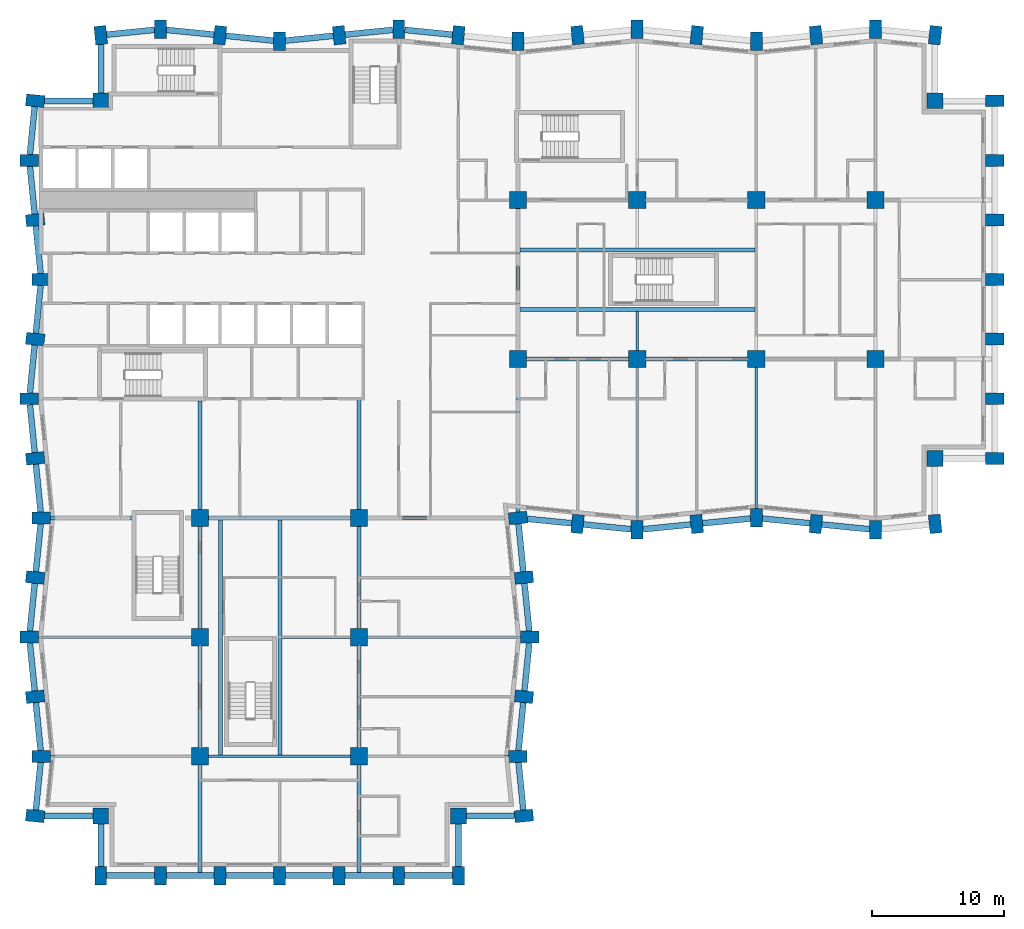
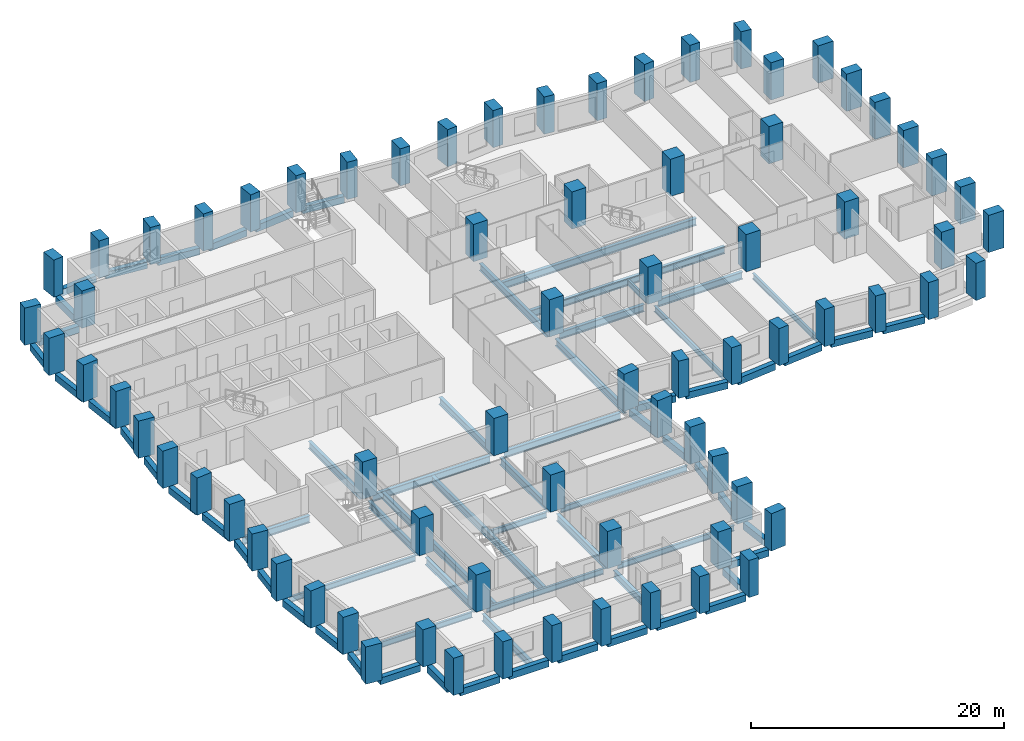
# One storey, part 1 of 12: 74 columns, 69 beams.
"""IFC4 building model written with IfcOpenShell, lengths in metres."""

from ifc_helpers import new_model, si_unit, direction, frame, origin, origin_2d, place, context, subcontext, project, spatial, rectangle, i_section, extrude, material, material_profile, profile_set, type_object, element, save


model = new_model("IFC4")

# Units and contexts
model_context = context("Model", 3, precision=1e-05, world=origin(), true_north=direction((0.0, 1.0)))
body_context = subcontext(model_context, "Body", "Model", "MODEL_VIEW")
ifc_project = project(units=[si_unit("LENGTHUNIT", "METRE"), si_unit("AREAUNIT", "SQUARE_METRE"), si_unit("VOLUMEUNIT", "CUBIC_METRE"), si_unit("PLANEANGLEUNIT", "RADIAN"), si_unit("MASSUNIT", "GRAM", prefix="KILO")], contexts=[model_context])

# Site, building, storey
site_placement = place(None, origin())
site = spatial("IfcSite", under=ifc_project, at=site_placement, CompositionType="ELEMENT")
building_placement = place(site_placement, origin())
building = spatial("IfcBuilding", under=site, at=building_placement, Name="Brondeck Convention Tower", CompositionType="ELEMENT")
storey_placement = place(building_placement, frame((0.0, 0.0, 80.699951171875)))
storey = spatial("IfcBuildingStorey", under=building, at=storey_placement, Name="L18", CompositionType="ELEMENT", Elevation=80.699951171875)

# Columns
ifc_material_1 = material(Name="Concrete C80/95", Category="concrete")
ifc_material_profile_1 = material_profile(ifc_material_1, rectangle(XDim=1.199951171875, YDim=1.199951171875, at=origin_2d()), Name="Corner column 1200x1200 Concrete C80/95")
ifc_profile_set_1 = profile_set([ifc_material_profile_1], Name="Concrete C80/95")
column_type_1 = type_object("IfcColumnType", Name="Corner column 1200x1200 Concrete C80/95", PredefinedType="COLUMN", material=ifc_profile_set_1)
for number, where, z_axis, x_axis, name in (
    (1, (4.5, 4.5, 0.0), (0.0, 0.0, 1.0), (1.0, 0.0, 0.0), "STR-COL-L18-NC-SWB0"),
    (2, (31.5, 4.5, 0.0), (0.0, 0.0, 1.0), (1.0, 0.0, 0.0), "STR-COL-L18-NC-SEB0"),
    (3, (67.5, 31.5, 0.0), (0.0, 0.0, 1.0), (1.0, 0.0, 0.0), "STR-COL-L18-NC-SEA72"),
    (4, (67.5, 58.5, 0.0), (0.0, 0.0, 1.0), (1.0, 0.0, 0.0), "STR-COL-L18-NC-NEA72"),
    (5, (4.5, 58.5, 0.0), (0.0, 0.0, 1.0), (1.0, 0.0, 0.0), "STR-COL-L18-NC-NW"),
):
    element("IfcColumn", number, at=place(storey_placement, frame(where, z_axis=z_axis, x_axis=x_axis)), inside=storey, type_object=column_type_1, Name=name, PredefinedType="COLUMN", context=body_context, shape_type="SweptSolid", body=[
        extrude(rectangle(XDim=1.199951171875, YDim=1.199951171875, at=origin_2d()), origin(), (0.0, 0.0, 1.0), 3.60009765625),
    ])
ifc_material_profile_2 = material_profile(ifc_material_1, rectangle(XDim=1.300048828125, YDim=1.300048828125, at=origin_2d()), Name="Interior column 1300x1300 Concrete C80/95")
ifc_profile_set_2 = profile_set([ifc_material_profile_2], Name="Concrete C80/95")
column_type_2 = type_object("IfcColumnType", Name="Interior column 1300x1300 Concrete C80/95", PredefinedType="COLUMN", material=ifc_profile_set_2)
for number, where, z_axis, x_axis, name in (
    (6, (12.0, 9.0, 0.0), (0.0, 0.0, 1.0), (1.0, 0.0, 0.0), "STR-COL-L18-IC-01"),
    (7, (12.0, 18.0, 0.0), (0.0, 0.0, 1.0), (1.0, 0.0, 0.0), "STR-COL-L18-IC-02"),
    (8, (12.0, 27.0, 0.0), (0.0, 0.0, 1.0), (1.0, 0.0, 0.0), "STR-COL-L18-IC-03"),
    (9, (24.0, 9.0, 0.0), (0.0, 0.0, 1.0), (1.0, 0.0, 0.0), "STR-COL-L18-IC-04"),
    (10, (24.0, 18.0, 0.0), (0.0, 0.0, 1.0), (1.0, 0.0, 0.0), "STR-COL-L18-IC-05"),
    (11, (24.0, 27.0, 0.0), (0.0, 0.0, 1.0), (1.0, 0.0, 0.0), "STR-COL-L18-IC-06"),
    (12, (36.0, 39.0, 0.0), (0.0, 0.0, 1.0), (1.0, 0.0, 0.0), "STR-COL-L18-IC-07"),
    (13, (36.0, 51.0, 0.0), (0.0, 0.0, 1.0), (1.0, 0.0, 0.0), "STR-COL-L18-IC-08"),
    (14, (45.0, 39.0, 0.0), (0.0, 0.0, 1.0), (1.0, 0.0, 0.0), "STR-COL-L18-IC-09"),
    (15, (45.0, 51.0, 0.0), (0.0, 0.0, 1.0), (1.0, 0.0, 0.0), "STR-COL-L18-IC-10"),
    (16, (54.0, 39.0, 0.0), (0.0, 0.0, 1.0), (1.0, 0.0, 0.0), "STR-COL-L18-IC-11"),
    (17, (54.0, 51.0, 0.0), (0.0, 0.0, 1.0), (1.0, 0.0, 0.0), "STR-COL-L18-IC-12"),
    (18, (63.0, 39.0, 0.0), (0.0, 0.0, 1.0), (1.0, 0.0, 0.0), "STR-COL-L18-IC-13"),
    (19, (63.0, 51.0, 0.0), (0.0, 0.0, 1.0), (1.0, 0.0, 0.0), "STR-COL-L18-IC-14"),
):
    element("IfcColumn", number, at=place(storey_placement, frame(where, z_axis=z_axis, x_axis=x_axis)), inside=storey, type_object=column_type_2, Name=name, PredefinedType="COLUMN", context=body_context, shape_type="SweptSolid", body=[
        extrude(rectangle(XDim=1.300048828125, YDim=1.300048828125, at=origin_2d()), origin(), (0.0, 0.0, 1.0), 3.60009765625),
    ])
ifc_material_profile_3 = material_profile(ifc_material_1, rectangle(XDim=0.89990234375, YDim=1.39990234375, at=origin_2d()), Name="Perimeter pier 900x1400 Concrete C80/95")
ifc_profile_set_3 = profile_set([ifc_material_profile_3], Name="Concrete C80/95")
column_type_3 = type_object("IfcColumnType", Name="Perimeter pier 900x1400 Concrete C80/95", PredefinedType="COLUMN", material=ifc_profile_set_3)
for number, where, z_axis, x_axis, name in (
    (20, (4.5, 0.0, 0.0), (0.0, 0.0, 1.0), (1.0, 0.0, 0.0), "STR-COL-L18-PC-B-S0-01"),
    (21, (9.0, 0.0, 0.0), (0.0, 0.0, 1.0), (1.0, 0.0, 0.0), "STR-COL-L18-PC-B-S0-02"),
    (22, (13.5, 0.0, 0.0), (0.0, 0.0, 1.0), (1.0, 0.0, 0.0), "STR-COL-L18-PC-B-S0-03"),
    (23, (18.0, 0.0, 0.0), (0.0, 0.0, 1.0), (1.0, 0.0, 0.0), "STR-COL-L18-PC-B-S0-04"),
    (24, (22.5, 0.0, 0.0), (0.0, 0.0, 1.0), (1.0, 0.0, 0.0), "STR-COL-L18-PC-B-S0-05"),
    (25, (27.0, 0.0, 0.0), (0.0, 0.0, 1.0), (1.0, 0.0, 0.0), "STR-COL-L18-PC-B-S0-06"),
    (26, (31.5, 0.0, 0.0), (0.0, 0.0, 1.0), (1.0, 0.0, 0.0), "STR-COL-L18-PC-B-S0-07"),
    (27, (36.449951171875, 4.5, 0.0), (0.0, 0.0, 1.0), (-0.0995038382, 0.995037178292, 0.0), "STR-COL-L18-PC-B-E-05"),
    (28, (36.0, 9.0, 0.0), (0.0, 0.0, 1.0), (0.0, 1.0, 0.0), "STR-COL-L18-PC-B-E-04"),
    (29, (36.449951171875, 13.5, 0.0), (0.0, 0.0, 1.0), (0.0995038382, 0.995037178292, 0.0), "STR-COL-L18-PC-B-E-03"),
    (30, (36.89990234375, 18.0, 0.0), (0.0, 0.0, 1.0), (0.0, 1.0, 0.0), "STR-COL-L18-PC-B-E-02"),
    (31, (36.449951171875, 22.5, 0.0), (0.0, 0.0, 1.0), (-0.0995038382, 0.995037178292, 0.0), "STR-COL-L18-PC-B-E-01"),
    (32, (36.0, 27.0, 0.0), (0.0, 0.0, 1.0), (-0.0995038382, 0.995037178292, 0.0), "STR-COL-L18-PC-B-E-00"),
    (33, (40.5, 26.550048828125, 0.0), (0.0, 0.0, 1.0), (0.995037178292, -0.0995038382, 0.0), "STR-COL-L18-PC-A-S-01"),
    (34, (45.0, 26.10009765625, 0.0), (0.0, 0.0, 1.0), (1.0, 0.0, 0.0), "STR-COL-L18-PC-A-S-02"),
    (35, (49.5, 26.550048828125, 0.0), (0.0, 0.0, 1.0), (0.995037178292, 0.0995038382, 0.0), "STR-COL-L18-PC-A-S-03"),
    (36, (54.0, 27.0, 0.0), (0.0, 0.0, 1.0), (1.0, 0.0, 0.0), "STR-COL-L18-PC-A-S-04"),
    (37, (58.5, 26.550048828125, 0.0), (0.0, 0.0, 1.0), (0.995037178292, -0.0995038382, 0.0), "STR-COL-L18-PC-A-S-05"),
    (38, (63.0, 26.10009765625, 0.0), (0.0, 0.0, 1.0), (1.0, 0.0, 0.0), "STR-COL-L18-PC-A-S-06"),
    (39, (67.5, 26.550048828125, 0.0), (0.0, 0.0, 1.0), (0.995037178292, 0.0995038382, 0.0), "STR-COL-L18-PC-A-S-07"),
    (40, (72.0, 31.5, 0.0), (0.0, 0.0, 1.0), (0.0, 1.0, 0.0), "STR-COL-L18-PC-A-E72-01"),
    (41, (72.0, 36.0, 0.0), (0.0, 0.0, 1.0), (0.0, 1.0, 0.0), "STR-COL-L18-PC-A-E72-02"),
    (42, (72.0, 40.5, 0.0), (0.0, 0.0, 1.0), (0.0, 1.0, 0.0), "STR-COL-L18-PC-A-E72-03"),
    (43, (72.0, 45.0, 0.0), (0.0, 0.0, 1.0), (0.0, 1.0, 0.0), "STR-COL-L18-PC-A-E72-04"),
    (44, (72.0, 49.5, 0.0), (0.0, 0.0, 1.0), (0.0, 1.0, 0.0), "STR-COL-L18-PC-A-E72-05"),
    (45, (72.0, 54.0, 0.0), (0.0, 0.0, 1.0), (0.0, 1.0, 0.0), "STR-COL-L18-PC-A-E72-06"),
    (46, (72.0, 58.5, 0.0), (0.0, 0.0, 1.0), (0.0, 1.0, 0.0), "STR-COL-L18-PC-A-E72-07"),
    (47, (67.5, 63.449951171875, 0.0), (0.0, 0.0, 1.0), (-0.995037178292, 0.0995038382, 0.0), "STR-COL-L18-PC-A-N-15"),
    (48, (63.0, 63.89990234375, 0.0), (0.0, 0.0, 1.0), (-1.0, 0.0, 0.0), "STR-COL-L18-PC-A-N-14"),
    (49, (58.5, 63.449951171875, 0.0), (0.0, 0.0, 1.0), (-0.995037178292, -0.0995038382, 0.0), "STR-COL-L18-PC-A-N-13"),
    (50, (54.0, 63.0, 0.0), (0.0, 0.0, 1.0), (-1.0, 0.0, 0.0), "STR-COL-L18-PC-A-N-12"),
    (51, (49.5, 63.449951171875, 0.0), (0.0, 0.0, 1.0), (-0.995037178292, 0.0995038382, 0.0), "STR-COL-L18-PC-A-N-11"),
    (52, (45.0, 63.89990234375, 0.0), (0.0, 0.0, 1.0), (-1.0, 0.0, 0.0), "STR-COL-L18-PC-A-N-10"),
    (53, (40.5, 63.449951171875, 0.0), (0.0, 0.0, 1.0), (-0.995037178292, -0.0995038382, 0.0), "STR-COL-L18-PC-A-N-09"),
    (54, (36.0, 63.0, 0.0), (0.0, 0.0, 1.0), (-1.0, 0.0, 0.0), "STR-COL-L18-PC-A-N-08"),
    (55, (31.5, 63.449951171875, 0.0), (0.0, 0.0, 1.0), (-0.995037178292, 0.0995038382, 0.0), "STR-COL-L18-PC-A-N-07"),
    (56, (27.0, 63.89990234375, 0.0), (0.0, 0.0, 1.0), (-1.0, 0.0, 0.0), "STR-COL-L18-PC-A-N-06"),
    (57, (22.5, 63.449951171875, 0.0), (0.0, 0.0, 1.0), (-0.995037178292, -0.0995038382, 0.0), "STR-COL-L18-PC-A-N-05"),
    (58, (18.0, 63.0, 0.0), (0.0, 0.0, 1.0), (-1.0, 0.0, 0.0), "STR-COL-L18-PC-A-N-04"),
    (59, (13.5, 63.449951171875, 0.0), (0.0, 0.0, 1.0), (-0.995037178292, 0.0995038382, 0.0), "STR-COL-L18-PC-A-N-03"),
    (60, (9.0, 63.89990234375, 0.0), (0.0, 0.0, 1.0), (-1.0, 0.0, 0.0), "STR-COL-L18-PC-A-N-02"),
    (61, (4.5, 63.449951171875, 0.0), (0.0, 0.0, 1.0), (-0.995037178292, -0.0995038382, 0.0), "STR-COL-L18-PC-A-N-01"),
    (62, (-0.449951171875, 58.5, 0.0), (0.0, 0.0, 1.0), (-0.0995038382, -0.995037178292, 0.0), "STR-COL-L18-PC-B-W-01"),
    (63, (-0.89990234375, 54.0, 0.0), (0.0, 0.0, 1.0), (0.0, -1.0, 0.0), "STR-COL-L18-PC-B-W-02"),
    (64, (-0.449951171875, 49.5, 0.0), (0.0, 0.0, 1.0), (0.0995038382, -0.995037178292, 0.0), "STR-COL-L18-PC-B-W-03"),
    (65, (0.0, 45.0, 0.0), (0.0, 0.0, 1.0), (0.0, -1.0, 0.0), "STR-COL-L18-PC-B-W-04"),
    (66, (-0.449951171875, 40.5, 0.0), (0.0, 0.0, 1.0), (-0.0995038382, -0.995037178292, 0.0), "STR-COL-L18-PC-B-W-05"),
    (67, (-0.89990234375, 36.0, 0.0), (0.0, 0.0, 1.0), (0.0, -1.0, 0.0), "STR-COL-L18-PC-B-W-06"),
    (68, (-0.449951171875, 31.5, 0.0), (0.0, 0.0, 1.0), (0.0995038382, -0.995037178292, 0.0), "STR-COL-L18-PC-B-W-07"),
    (69, (0.0, 27.0, 0.0), (0.0, 0.0, 1.0), (0.0, -1.0, 0.0), "STR-COL-L18-PC-B-W-08"),
    (70, (-0.449951171875, 22.5, 0.0), (0.0, 0.0, 1.0), (-0.0995038382, -0.995037178292, 0.0), "STR-COL-L18-PC-B-W-09"),
    (71, (-0.89990234375, 18.0, 0.0), (0.0, 0.0, 1.0), (0.0, -1.0, 0.0), "STR-COL-L18-PC-B-W-10"),
    (72, (-0.449951171875, 13.5, 0.0), (0.0, 0.0, 1.0), (0.0995038382, -0.995037178292, 0.0), "STR-COL-L18-PC-B-W-11"),
    (73, (0.0, 9.0, 0.0), (0.0, 0.0, 1.0), (0.0, -1.0, 0.0), "STR-COL-L18-PC-B-W-12"),
    (74, (-0.449951171875, 4.5, 0.0), (0.0, 0.0, 1.0), (-0.0995038382, -0.995037178292, 0.0), "STR-COL-L18-PC-B-W-13"),
):
    element("IfcColumn", number, at=place(storey_placement, frame(where, z_axis=z_axis, x_axis=x_axis)), inside=storey, type_object=column_type_3, Name=name, PredefinedType="COLUMN", context=body_context, shape_type="SweptSolid", body=[
        extrude(rectangle(XDim=0.89990234375, YDim=1.39990234375, at=origin_2d()), origin(), (0.0, 0.0, 1.0), 3.60009765625),
    ])

# Beams
ifc_material_2 = material(Name="Steel S355", Category="steel")
ifc_material_profile_4 = material_profile(ifc_material_2, i_section(OverallWidth=0.2099609375, OverallDepth=0.550048828125, WebThickness=0.010986328125, FlangeThickness=0.01708984375, FilletRadius=0.02392578125, at=origin_2d()), Name="IPE 550")
ifc_profile_set_4 = profile_set([ifc_material_profile_4], Name="Steel S355")
beam_type_1 = type_object("IfcBeamType", Name="Floor beam IPE 550", PredefinedType="BEAM", material=ifc_profile_set_4)
beam_1_placement = place(storey_placement, frame((45.0, 26.800048828125, -0.574951171875), z_axis=(0.0, 1.0, 0.0), x_axis=(-1.0, 0.0, 0.0)))
element("IfcBeam", 75, at=beam_1_placement, inside=storey, type_object=beam_type_1, Name="STR-FB-L18-001", PredefinedType="BEAM", context=body_context, shape_type="SweptSolid", body=[
    extrude(i_section(OverallWidth=0.2099609375, OverallDepth=0.550048828125, WebThickness=0.010986328125, FlangeThickness=0.01708984375, FilletRadius=0.02392578125, at=origin_2d()), origin(), (0.0, 0.0, 1.0), 11.550048828125),
])
for number, where, z_axis, x_axis, name in (
    (76, (54.0, 27.699951171875, -0.574951171875), (0.0, 1.0, 0.0), (-1.0, 0.0, 0.0), "STR-FB-L18-003"),
    (77, (0.699951171875, 9.0, -0.574951171875), (1.0, 0.0, 0.0), (0.0, 1.0, 0.0), "STR-FB-L18-009"),
):
    element("IfcBeam", number, at=place(storey_placement, frame(where, z_axis=z_axis, x_axis=x_axis)), inside=storey, type_object=beam_type_1, Name=name, PredefinedType="BEAM", context=body_context, shape_type="SweptSolid", body=[
        extrude(i_section(OverallWidth=0.2099609375, OverallDepth=0.550048828125, WebThickness=0.010986328125, FlangeThickness=0.01708984375, FilletRadius=0.02392578125, at=origin_2d()), origin(), (0.0, 0.0, 1.0), 10.650146484375),
    ])
beam_2_placement = place(storey_placement, frame((12.64990234375, 9.0, -0.574951171875), z_axis=(1.0, 0.0, 0.0), x_axis=(0.0, 1.0, 0.0)))
element("IfcBeam", 78, at=beam_2_placement, inside=storey, type_object=beam_type_1, Name="STR-FB-L18-010", PredefinedType="BEAM", context=body_context, shape_type="SweptSolid", body=[
    extrude(i_section(OverallWidth=0.2099609375, OverallDepth=0.550048828125, WebThickness=0.010986328125, FlangeThickness=0.01708984375, FilletRadius=0.02392578125, at=origin_2d()), origin(), (0.0, 0.0, 1.0), 10.7001953125),
])
beam_3_placement = place(storey_placement, frame((24.64990234375, 9.0, -0.574951171875), z_axis=(1.0, 0.0, 0.0), x_axis=(0.0, 1.0, 0.0)))
element("IfcBeam", 79, at=beam_3_placement, inside=storey, type_object=beam_type_1, Name="STR-FB-L18-011", PredefinedType="BEAM", context=body_context, shape_type="SweptSolid", body=[
    extrude(i_section(OverallWidth=0.2099609375, OverallDepth=0.550048828125, WebThickness=0.010986328125, FlangeThickness=0.01708984375, FilletRadius=0.02392578125, at=origin_2d()), origin(), (0.0, 0.0, 1.0), 10.650146484375),
])
for number, where, z_axis, x_axis, name in (
    (80, (-0.199951171875, 18.0, -0.574951171875), (1.0, 0.0, 0.0), (0.0, 1.0, 0.0), "STR-FB-L18-012"),
    (81, (24.64990234375, 18.0, -0.574951171875), (1.0, 0.0, 0.0), (0.0, 1.0, 0.0), "STR-FB-L18-013"),
):
    element("IfcBeam", number, at=place(storey_placement, frame(where, z_axis=z_axis, x_axis=x_axis)), inside=storey, type_object=beam_type_1, Name=name, PredefinedType="BEAM", context=body_context, shape_type="SweptSolid", body=[
        extrude(i_section(OverallWidth=0.2099609375, OverallDepth=0.550048828125, WebThickness=0.010986328125, FlangeThickness=0.01708984375, FilletRadius=0.02392578125, at=origin_2d()), origin(), (0.0, 0.0, 1.0), 11.550048828125),
    ])
beam_4_placement = place(storey_placement, frame((45.0, 39.64990234375, -0.574951171875), z_axis=(0.0, 1.0, 0.0), x_axis=(-1.0, 0.0, 0.0)))
element("IfcBeam", 82, at=beam_4_placement, inside=storey, type_object=beam_type_1, Name="STR-FB-L18-014", PredefinedType="BEAM", context=body_context, shape_type="SweptSolid", body=[
    extrude(i_section(OverallWidth=0.2099609375, OverallDepth=0.550048828125, WebThickness=0.010986328125, FlangeThickness=0.01708984375, FilletRadius=0.02392578125, at=origin_2d()), origin(), (0.0, 0.0, 1.0), 2.9501953125),
])
beam_5_placement = place(storey_placement, frame((18.199951171875, 18.0, -0.574951171875), z_axis=(1.0, 0.0, 0.0), x_axis=(0.0, 1.0, 0.0)))
element("IfcBeam", 83, at=beam_5_placement, inside=storey, type_object=beam_type_1, Name="STR-FB-L18-016", PredefinedType="BEAM", context=body_context, shape_type="SweptSolid", body=[
    extrude(i_section(OverallWidth=0.2099609375, OverallDepth=0.550048828125, WebThickness=0.010986328125, FlangeThickness=0.01708984375, FilletRadius=0.02392578125, at=origin_2d()), origin(), (0.0, 0.0, 1.0), 5.150146484375),
])
ifc_material_profile_5 = material_profile(ifc_material_2, i_section(OverallWidth=0.300048828125, OverallDepth=0.699951171875, WebThickness=0.01708984375, FlangeThickness=0.031982421875, FilletRadius=0.027099609375, at=origin_2d()), Name="HEB 700")
ifc_profile_set_5 = profile_set([ifc_material_profile_5], Name="Steel S355")
beam_type_2 = type_object("IfcBeamType", Name="Girder HEB 700", PredefinedType="BEAM", material=ifc_profile_set_5)
for number, where, z_axis, x_axis, name in (
    (84, (36.64990234375, 39.0, -0.64990234375), (1.0, 0.0, 0.0), (0.0, 1.0, 0.0), "STR-GR-L18-001"),
    (85, (45.64990234375, 39.0, -0.64990234375), (1.0, 0.0, 0.0), (0.0, 1.0, 0.0), "STR-GR-L18-002"),
):
    element("IfcBeam", number, at=place(storey_placement, frame(where, z_axis=z_axis, x_axis=x_axis)), inside=storey, type_object=beam_type_2, Name=name, PredefinedType="BEAM", context=body_context, shape_type="SweptSolid", body=[
        extrude(i_section(OverallWidth=0.300048828125, OverallDepth=0.699951171875, WebThickness=0.01708984375, FlangeThickness=0.031982421875, FilletRadius=0.027099609375, at=origin_2d()), origin(), (0.0, 0.0, 1.0), 7.7001953125),
    ])
beam_6_placement = place(storey_placement, frame((36.0, 27.4521484375, -0.64990234375), z_axis=(0.0, 1.0, 0.0), x_axis=(-1.0, 0.0, 0.0)))
element("IfcBeam", 86, at=beam_6_placement, inside=storey, type_object=beam_type_2, Name="STR-GR-L18-009", PredefinedType="BEAM", context=body_context, shape_type="SweptSolid", body=[
    extrude(i_section(OverallWidth=0.300048828125, OverallDepth=0.699951171875, WebThickness=0.01708984375, FlangeThickness=0.031982421875, FilletRadius=0.027099609375, at=origin_2d()), origin(), (0.0, 0.0, 1.0), 10.89794921875),
])
beam_7_placement = place(storey_placement, frame((36.0, 39.64990234375, -0.64990234375), z_axis=(0.0, 1.0, 0.0), x_axis=(-1.0, 0.0, 0.0)))
element("IfcBeam", 87, at=beam_7_placement, inside=storey, type_object=beam_type_2, Name="STR-GR-L18-010", PredefinedType="BEAM", context=body_context, shape_type="SweptSolid", body=[
    extrude(i_section(OverallWidth=0.300048828125, OverallDepth=0.699951171875, WebThickness=0.01708984375, FlangeThickness=0.031982421875, FilletRadius=0.027099609375, at=origin_2d()), origin(), (0.0, 0.0, 1.0), 10.7001953125),
])
beam_8_placement = place(storey_placement, frame((12.0, 35.85009765625, -0.64990234375), z_axis=(0.0, -1.0, 0.0), x_axis=(1.0, 0.0, 0.0)))
element("IfcBeam", 88, at=beam_8_placement, inside=storey, type_object=beam_type_2, Name="STR-GR-L18-013", PredefinedType="BEAM", context=body_context, shape_type="SweptSolid", body=[
    extrude(i_section(OverallWidth=0.300048828125, OverallDepth=0.699951171875, WebThickness=0.01708984375, FlangeThickness=0.031982421875, FilletRadius=0.027099609375, at=origin_2d()), origin(), (0.0, 0.0, 1.0), 8.2001953125),
])
for number, where, z_axis, x_axis, name in (
    (89, (12.0, 26.35009765625, -0.64990234375), (0.0, -1.0, 0.0), (1.0, 0.0, 0.0), "STR-GR-L18-014"),
    (90, (12.0, 17.35009765625, -0.64990234375), (0.0, -1.0, 0.0), (1.0, 0.0, 0.0), "STR-GR-L18-015"),
):
    element("IfcBeam", number, at=place(storey_placement, frame(where, z_axis=z_axis, x_axis=x_axis)), inside=storey, type_object=beam_type_2, Name=name, PredefinedType="BEAM", context=body_context, shape_type="SweptSolid", body=[
        extrude(i_section(OverallWidth=0.300048828125, OverallDepth=0.699951171875, WebThickness=0.01708984375, FlangeThickness=0.031982421875, FilletRadius=0.027099609375, at=origin_2d()), origin(), (0.0, 0.0, 1.0), 7.7001953125),
    ])
beam_9_placement = place(storey_placement, frame((12.0, 8.35009765625, -0.64990234375), z_axis=(0.0, -1.0, 0.0), x_axis=(1.0, 0.0, 0.0)))
element("IfcBeam", 91, at=beam_9_placement, inside=storey, type_object=beam_type_2, Name="STR-GR-L18-016", PredefinedType="BEAM", context=body_context, shape_type="SweptSolid", body=[
    extrude(i_section(OverallWidth=0.300048828125, OverallDepth=0.699951171875, WebThickness=0.01708984375, FlangeThickness=0.031982421875, FilletRadius=0.027099609375, at=origin_2d()), origin(), (0.0, 0.0, 1.0), 8.125),
])
beam_10_placement = place(storey_placement, frame((24.0, 35.955078125, -0.64990234375), z_axis=(0.0, -1.0, 0.0), x_axis=(1.0, 0.0, 0.0)))
element("IfcBeam", 92, at=beam_10_placement, inside=storey, type_object=beam_type_2, Name="STR-GR-L18-017", PredefinedType="BEAM", context=body_context, shape_type="SweptSolid", body=[
    extrude(i_section(OverallWidth=0.300048828125, OverallDepth=0.699951171875, WebThickness=0.01708984375, FlangeThickness=0.031982421875, FilletRadius=0.027099609375, at=origin_2d()), origin(), (0.0, 0.0, 1.0), 8.30517578125),
])
for number, where, z_axis, x_axis, name in (
    (93, (24.0, 26.35009765625, -0.64990234375), (0.0, -1.0, 0.0), (1.0, 0.0, 0.0), "STR-GR-L18-018"),
    (94, (24.0, 17.35009765625, -0.64990234375), (0.0, -1.0, 0.0), (1.0, 0.0, 0.0), "STR-GR-L18-019"),
):
    element("IfcBeam", number, at=place(storey_placement, frame(where, z_axis=z_axis, x_axis=x_axis)), inside=storey, type_object=beam_type_2, Name=name, PredefinedType="BEAM", context=body_context, shape_type="SweptSolid", body=[
        extrude(i_section(OverallWidth=0.300048828125, OverallDepth=0.699951171875, WebThickness=0.01708984375, FlangeThickness=0.031982421875, FilletRadius=0.027099609375, at=origin_2d()), origin(), (0.0, 0.0, 1.0), 7.7001953125),
    ])
beam_11_placement = place(storey_placement, frame((24.0, 8.35009765625, -0.64990234375), z_axis=(0.0, -1.0, 0.0), x_axis=(1.0, 0.0, 0.0)))
element("IfcBeam", 95, at=beam_11_placement, inside=storey, type_object=beam_type_2, Name="STR-GR-L18-020", PredefinedType="BEAM", context=body_context, shape_type="SweptSolid", body=[
    extrude(i_section(OverallWidth=0.300048828125, OverallDepth=0.699951171875, WebThickness=0.01708984375, FlangeThickness=0.031982421875, FilletRadius=0.027099609375, at=origin_2d()), origin(), (0.0, 0.0, 1.0), 8.125),
])
beam_12_placement = place(storey_placement, frame((0.699951171875, 27.0, -0.64990234375), z_axis=(1.0, 0.0, 0.0), x_axis=(0.0, 1.0, 0.0)))
element("IfcBeam", 96, at=beam_12_placement, inside=storey, type_object=beam_type_2, Name="STR-GR-L18-021", PredefinedType="BEAM", context=body_context, shape_type="SweptSolid", body=[
    extrude(i_section(OverallWidth=0.300048828125, OverallDepth=0.699951171875, WebThickness=0.01708984375, FlangeThickness=0.031982421875, FilletRadius=0.027099609375, at=origin_2d()), origin(), (0.0, 0.0, 1.0), 6.179931640625),
])
beam_13_placement = place(storey_placement, frame((12.64990234375, 27.0, -0.64990234375), z_axis=(1.0, 0.0, 0.0), x_axis=(0.0, 1.0, 0.0)))
element("IfcBeam", 97, at=beam_13_placement, inside=storey, type_object=beam_type_2, Name="STR-GR-L18-022", PredefinedType="BEAM", context=body_context, shape_type="SweptSolid", body=[
    extrude(i_section(OverallWidth=0.300048828125, OverallDepth=0.699951171875, WebThickness=0.01708984375, FlangeThickness=0.031982421875, FilletRadius=0.027099609375, at=origin_2d()), origin(), (0.0, 0.0, 1.0), 10.7001953125),
])
beam_14_placement = place(storey_placement, frame((24.64990234375, 27.0, -0.64990234375), z_axis=(1.0, 0.0, 0.0), x_axis=(0.0, 1.0, 0.0)))
element("IfcBeam", 98, at=beam_14_placement, inside=storey, type_object=beam_type_2, Name="STR-GR-L18-023", PredefinedType="BEAM", context=body_context, shape_type="SweptSolid", body=[
    extrude(i_section(OverallWidth=0.300048828125, OverallDepth=0.699951171875, WebThickness=0.01708984375, FlangeThickness=0.031982421875, FilletRadius=0.027099609375, at=origin_2d()), origin(), (0.0, 0.0, 1.0), 10.646484375),
])
for number, where, z_axis, x_axis, name in (
    (99, (36.14990234375, 42.75, -0.64990234375), (1.0, 0.0, 0.0), (0.0, 1.0, 0.0), "STR-GR-L18-024"),
    (100, (36.14990234375, 47.25, -0.64990234375), (1.0, 0.0, 0.0), (0.0, 1.0, 0.0), "STR-GR-L18-025"),
    (101, (13.550048828125, 9.10498046875, -0.64990234375), (0.0, 1.0, 0.0), (-1.0, 0.0, 0.0), "STR-GR-L18-026"),
    (102, (18.050048828125, 9.10498046875, -0.64990234375), (0.0, 1.0, 0.0), (-1.0, 0.0, 0.0), "STR-GR-L18-027"),
):
    element("IfcBeam", number, at=place(storey_placement, frame(where, z_axis=z_axis, x_axis=x_axis)), inside=storey, type_object=beam_type_2, Name=name, PredefinedType="BEAM", context=body_context, shape_type="SweptSolid", body=[
        extrude(i_section(OverallWidth=0.300048828125, OverallDepth=0.699951171875, WebThickness=0.01708984375, FlangeThickness=0.031982421875, FilletRadius=0.027099609375, at=origin_2d()), origin(), (0.0, 0.0, 1.0), 17.7451171875),
    ])
ifc_material_profile_6 = material_profile(ifc_material_1, rectangle(XDim=0.449951171875, YDim=0.64990234375, at=origin_2d()), Name="Precast spandrel 450x650 Concrete C80/95")
ifc_profile_set_6 = profile_set([ifc_material_profile_6], Name="Concrete C80/95")
beam_type_3 = type_object("IfcBeamType", Name="Precast spandrel 450x650 Concrete C80/95", PredefinedType="SPANDREL", material=ifc_profile_set_6)
for number, where, z_axis, x_axis, name in (
    (103, (4.949951171875, 0.0, -0.324951171875), (1.0, 0.0, 0.0), (0.0, 1.0, 0.0), "STR-SP-L18-001"),
    (104, (9.449951171875, 0.0, -0.324951171875), (1.0, 0.0, 0.0), (0.0, 1.0, 0.0), "STR-SP-L18-002"),
    (105, (13.949951171875, 0.0, -0.324951171875), (1.0, 0.0, 0.0), (0.0, 1.0, 0.0), "STR-SP-L18-003"),
    (106, (18.449951171875, 0.0, -0.324951171875), (1.0, 0.0, 0.0), (0.0, 1.0, 0.0), "STR-SP-L18-004"),
    (107, (22.949951171875, 0.0, -0.324951171875), (1.0, 0.0, 0.0), (0.0, 1.0, 0.0), "STR-SP-L18-005"),
    (108, (27.449951171875, 0.0, -0.324951171875), (1.0, 0.0, 0.0), (0.0, 1.0, 0.0), "STR-SP-L18-006"),
):
    element("IfcBeam", number, at=place(storey_placement, frame(where, z_axis=z_axis, x_axis=x_axis)), inside=storey, type_object=beam_type_3, Name=name, PredefinedType="SPANDREL", context=body_context, shape_type="SweptSolid", body=[
        extrude(rectangle(XDim=0.449951171875, YDim=0.64990234375, at=origin_2d()), origin(), (0.0, 0.0, 1.0), 3.60009765625),
    ])
beam_15_placement = place(storey_placement, frame((31.5, 0.699951171875, -0.324951171875), z_axis=(0.0, 1.0, 0.0), x_axis=(-1.0, 0.0, 0.0)))
element("IfcBeam", 109, at=beam_15_placement, inside=storey, type_object=beam_type_3, Name="STR-SP-L18-007", PredefinedType="SPANDREL", context=body_context, shape_type="SweptSolid", body=[
    extrude(rectangle(XDim=0.449951171875, YDim=0.64990234375, at=origin_2d()), origin(), (0.0, 0.0, 1.0), 3.199951171875),
])
beam_16_placement = place(storey_placement, frame((32.10009765625, 4.5, -0.324951171875), z_axis=(1.0, 0.0, 0.0), x_axis=(0.0, 1.0, 0.0)))
element("IfcBeam", 110, at=beam_16_placement, inside=storey, type_object=beam_type_3, Name="STR-SP-L18-008", PredefinedType="SPANDREL", context=body_context, shape_type="SweptSolid", body=[
    extrude(rectangle(XDim=0.449951171875, YDim=0.64990234375, at=origin_2d()), origin(), (0.0, 0.0, 1.0), 3.646484375),
])
for number, where, z_axis, x_axis, name in (
    (111, (36.4052734375, 4.94775390625, -0.324951171875), (-0.099537103649, 0.995033851182, 0.0), (-0.995033851182, -0.099537103649, 0.0), "STR-SP-L18-009"),
    (112, (36.044921875, 9.449951171875, -0.324951171875), (0.099537103649, 0.995033851182, 0.0), (-0.995033851182, 0.099537103649, 0.0), "STR-SP-L18-010"),
    (113, (36.494873046875, 13.94775390625, -0.324951171875), (0.099470334057, 0.995040528141, 0.0), (-0.995040528141, 0.099470334057, 0.0), "STR-SP-L18-011"),
    (114, (36.85498046875, 18.449951171875, -0.324951171875), (-0.099470334057, 0.995040528141, 0.0), (-0.995040528141, -0.099470334057, 0.0), "STR-SP-L18-012"),
):
    element("IfcBeam", number, at=place(storey_placement, frame(where, z_axis=z_axis, x_axis=x_axis)), inside=storey, type_object=beam_type_3, Name=name, PredefinedType="SPANDREL", context=body_context, shape_type="SweptSolid", body=[
        extrude(rectangle(XDim=0.449951171875, YDim=0.64990234375, at=origin_2d()), origin(), (0.0, 0.0, 1.0), 3.620361328125),
    ])
beam_17_placement = place(storey_placement, frame((36.4052734375, 22.94775390625, -0.324951171875), z_axis=(-0.099543756114, 0.995033185687, 0.0), x_axis=(-0.995033185687, -0.099543756114, 0.0)))
element("IfcBeam", 115, at=beam_17_placement, inside=storey, type_object=beam_type_3, Name="STR-SP-L18-013", PredefinedType="SPANDREL", context=body_context, shape_type="SweptSolid", body=[
    extrude(rectangle(XDim=0.449951171875, YDim=0.64990234375, at=origin_2d()), origin(), (0.0, 0.0, 1.0), 3.62255859375),
])
beam_18_placement = place(storey_placement, frame((36.710693359375, 26.928955078125, -0.324951171875), z_axis=(0.995035030591, -0.099525312843, 0.0), x_axis=(0.099525312843, 0.995035030591, 0.0)))
element("IfcBeam", 116, at=beam_18_placement, inside=storey, type_object=beam_type_3, Name="STR-SP-L18-014", PredefinedType="SPANDREL", context=body_context, shape_type="SweptSolid", body=[
    extrude(rectangle(XDim=0.449951171875, YDim=0.64990234375, at=origin_2d()), origin(), (0.0, 0.0, 1.0), 3.358154296875),
])
for number, where, z_axis, x_axis, name in (
    (117, (40.94775390625, 26.505126953125, -0.324951171875), (0.995040528141, -0.099470334057, 0.0), (0.099470334057, 0.995040528141, 0.0), "STR-SP-L18-015"),
    (118, (45.449951171875, 26.14501953125, -0.324951171875), (0.995040528141, 0.099470334057, 0.0), (-0.099470334057, 0.995040528141, 0.0), "STR-SP-L18-016"),
    (119, (49.94775390625, 26.5947265625, -0.324951171875), (0.995033851182, 0.099537103649, 0.0), (-0.099537103649, 0.995033851182, 0.0), "STR-SP-L18-017"),
    (120, (54.449951171875, 26.955078125, -0.324951171875), (0.995033851182, -0.099537103649, 0.0), (0.099537103649, 0.995033851182, 0.0), "STR-SP-L18-018"),
    (121, (58.94775390625, 26.505126953125, -0.324951171875), (0.995040528141, -0.099470334057, 0.0), (0.099470334057, 0.995040528141, 0.0), "STR-SP-L18-019"),
    (122, (31.05224609375, 63.494873046875, -0.324951171875), (-0.995040528141, 0.099470334057, 0.0), (-0.099470334057, -0.995040528141, 0.0), "STR-SP-L18-039"),
    (123, (26.550048828125, 63.85498046875, -0.324951171875), (-0.995040528141, -0.099470334057, 0.0), (0.099470334057, -0.995040528141, 0.0), "STR-SP-L18-040"),
    (124, (22.05224609375, 63.4052734375, -0.324951171875), (-0.995033851182, -0.099537103649, 0.0), (0.099537103649, -0.995033851182, 0.0), "STR-SP-L18-041"),
    (125, (17.550048828125, 63.044921875, -0.324951171875), (-0.995033851182, 0.099537103649, 0.0), (-0.099537103649, -0.995033851182, 0.0), "STR-SP-L18-042"),
    (126, (13.05224609375, 63.494873046875, -0.324951171875), (-0.995040528141, 0.099470334057, 0.0), (-0.099470334057, -0.995040528141, 0.0), "STR-SP-L18-043"),
    (127, (8.550048828125, 63.85498046875, -0.324951171875), (-0.995040528141, -0.099470334057, 0.0), (0.099470334057, -0.995040528141, 0.0), "STR-SP-L18-044"),
):
    element("IfcBeam", number, at=place(storey_placement, frame(where, z_axis=z_axis, x_axis=x_axis)), inside=storey, type_object=beam_type_3, Name=name, PredefinedType="SPANDREL", context=body_context, shape_type="SweptSolid", body=[
        extrude(rectangle(XDim=0.449951171875, YDim=0.64990234375, at=origin_2d()), origin(), (0.0, 0.0, 1.0), 3.620361328125),
    ])
for number, where, z_axis, x_axis, name in (
    (128, (4.5, 62.74658203125, -0.324951171875), (0.0, -1.0, 0.0), (1.0, 0.0, 0.0), "STR-SP-L18-045"),
    (129, (3.89990234375, 58.5, -0.324951171875), (-1.0, 0.0, 0.0), (0.0, -1.0, 0.0), "STR-SP-L18-046"),
):
    element("IfcBeam", number, at=place(storey_placement, frame(where, z_axis=z_axis, x_axis=x_axis)), inside=storey, type_object=beam_type_3, Name=name, PredefinedType="SPANDREL", context=body_context, shape_type="SweptSolid", body=[
        extrude(rectangle(XDim=0.449951171875, YDim=0.64990234375, at=origin_2d()), origin(), (0.0, 0.0, 1.0), 3.646484375),
    ])
for number, where, z_axis, x_axis, name in (
    (130, (-0.494873046875, 58.05224609375, -0.324951171875), (-0.099470334057, -0.995040528141, 0.0), (0.995040528141, -0.099470334057, 0.0), "STR-SP-L18-047"),
    (131, (-0.85498046875, 53.550048828125, -0.324951171875), (0.099470334057, -0.995040528141, 0.0), (0.995040528141, 0.099470334057, 0.0), "STR-SP-L18-048"),
    (132, (-0.4052734375, 49.05224609375, -0.324951171875), (0.099537103649, -0.995033851182, 0.0), (0.995033851182, 0.099537103649, 0.0), "STR-SP-L18-049"),
    (133, (-0.044921875, 44.550048828125, -0.324951171875), (-0.099537103649, -0.995033851182, 0.0), (0.995033851182, -0.099537103649, 0.0), "STR-SP-L18-050"),
    (134, (-0.494873046875, 40.05224609375, -0.324951171875), (-0.099470334057, -0.995040528141, 0.0), (0.995040528141, -0.099470334057, 0.0), "STR-SP-L18-051"),
    (135, (-0.85498046875, 35.550048828125, -0.324951171875), (0.099470334057, -0.995040528141, 0.0), (0.995040528141, 0.099470334057, 0.0), "STR-SP-L18-052"),
    (136, (-0.4052734375, 31.05224609375, -0.324951171875), (0.099537103649, -0.995033851182, 0.0), (0.995033851182, 0.099537103649, 0.0), "STR-SP-L18-053"),
    (137, (-0.044921875, 26.550048828125, -0.324951171875), (-0.099537103649, -0.995033851182, 0.0), (0.995033851182, -0.099537103649, 0.0), "STR-SP-L18-054"),
    (138, (-0.494873046875, 22.05224609375, -0.324951171875), (-0.099470334057, -0.995040528141, 0.0), (0.995040528141, -0.099470334057, 0.0), "STR-SP-L18-055"),
    (139, (-0.85498046875, 17.550048828125, -0.324951171875), (0.099470334057, -0.995040528141, 0.0), (0.995040528141, 0.099470334057, 0.0), "STR-SP-L18-056"),
    (140, (-0.4052734375, 13.05224609375, -0.324951171875), (0.099537103649, -0.995033851182, 0.0), (0.995033851182, 0.099537103649, 0.0), "STR-SP-L18-057"),
    (141, (-0.044921875, 8.550048828125, -0.324951171875), (-0.099537103649, -0.995033851182, 0.0), (0.995033851182, -0.099537103649, 0.0), "STR-SP-L18-058"),
):
    element("IfcBeam", number, at=place(storey_placement, frame(where, z_axis=z_axis, x_axis=x_axis)), inside=storey, type_object=beam_type_3, Name=name, PredefinedType="SPANDREL", context=body_context, shape_type="SweptSolid", body=[
        extrude(rectangle(XDim=0.449951171875, YDim=0.64990234375, at=origin_2d()), origin(), (0.0, 0.0, 1.0), 3.620361328125),
    ])
beam_19_placement = place(storey_placement, frame((0.25341796875, 4.5, -0.324951171875), z_axis=(1.0, 0.0, 0.0), x_axis=(0.0, 1.0, 0.0)))
element("IfcBeam", 142, at=beam_19_placement, inside=storey, type_object=beam_type_3, Name="STR-SP-L18-059", PredefinedType="SPANDREL", context=body_context, shape_type="SweptSolid", body=[
    extrude(rectangle(XDim=0.449951171875, YDim=0.64990234375, at=origin_2d()), origin(), (0.0, 0.0, 1.0), 3.646484375),
])
beam_20_placement = place(storey_placement, frame((4.5, 3.89990234375, -0.324951171875), z_axis=(0.0, -1.0, 0.0), x_axis=(1.0, 0.0, 0.0)))
element("IfcBeam", 143, at=beam_20_placement, inside=storey, type_object=beam_type_3, Name="STR-SP-L18-060", PredefinedType="SPANDREL", context=body_context, shape_type="SweptSolid", body=[
    extrude(rectangle(XDim=0.449951171875, YDim=0.64990234375, at=origin_2d()), origin(), (0.0, 0.0, 1.0), 3.199951171875),
])

save(model, "model.ifc")
